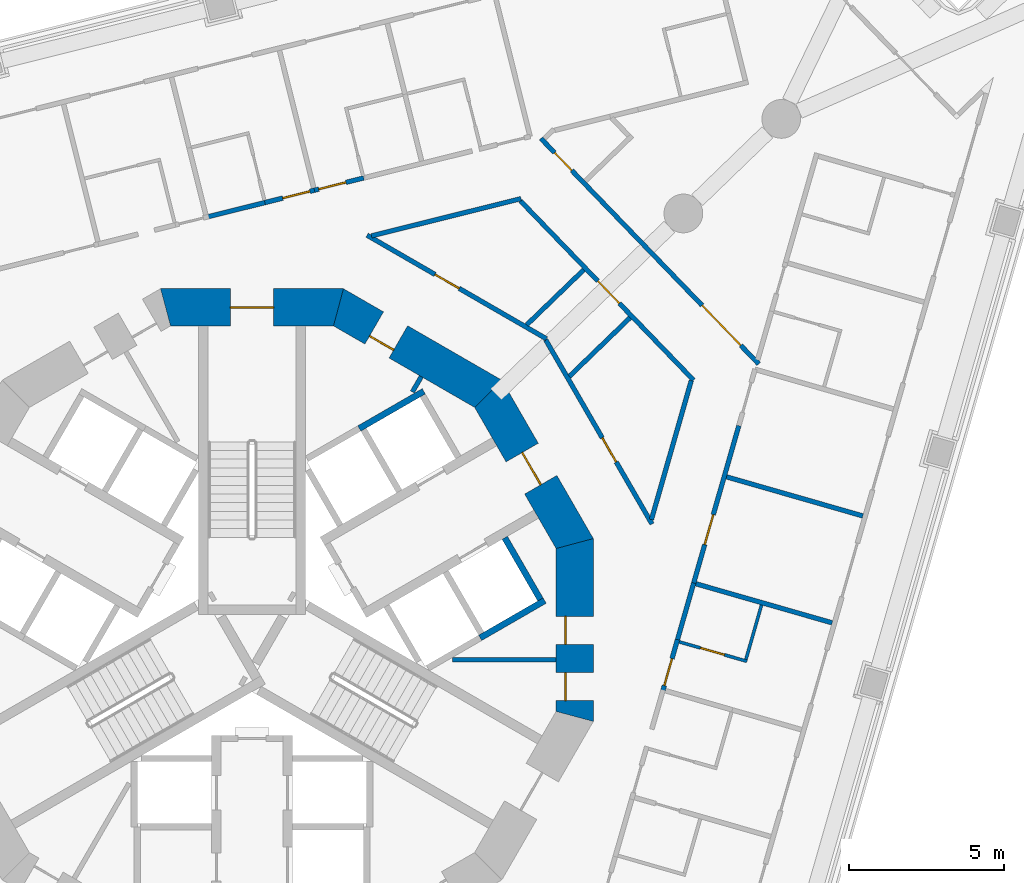
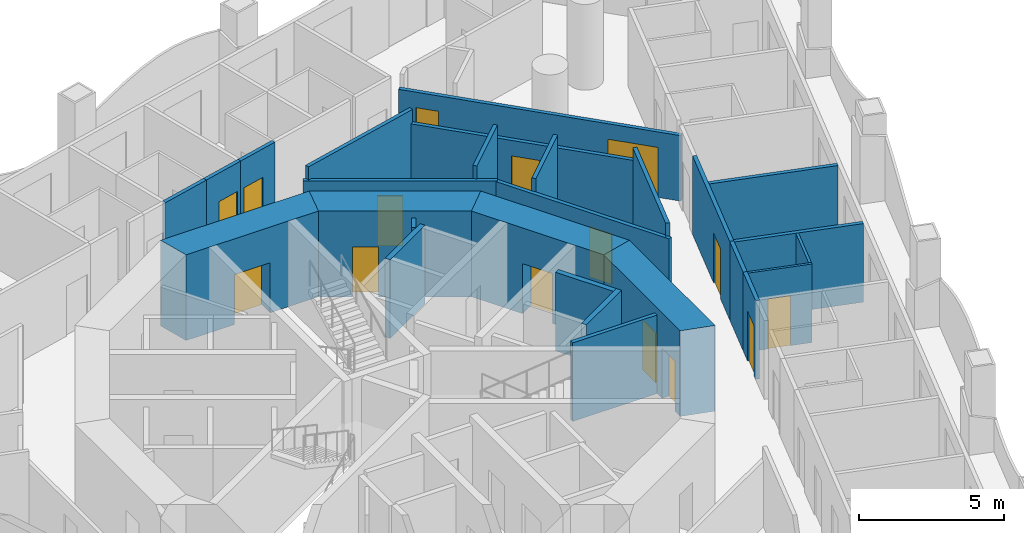
# One storey, part 9 of 19: 27 walls, 15 doors, 15 openings.
"""IFC4 building model written with IfcOpenShell, lengths in metres."""

from ifc_helpers import new_model, si_unit, direction, frame, frame_2d, origin, place, context, subcontext, project, spatial, polyline, rectangle, outline, extrude, material, layer, layer_set, type_object, element, fill, save


model = new_model("IFC4")

# Units and contexts
model_context = context("Model", 3, precision=1e-05, world=origin(), true_north=direction((0.0, 1.0)))
body_context = subcontext(model_context, "Body", "Model", "MODEL_VIEW")
ifc_project = project(units=[si_unit("LENGTHUNIT", "METRE"), si_unit("AREAUNIT", "SQUARE_METRE"), si_unit("VOLUMEUNIT", "CUBIC_METRE"), si_unit("PLANEANGLEUNIT", "RADIAN"), si_unit("MASSUNIT", "GRAM", prefix="KILO")], contexts=[model_context])

# Site, building, storey
site_placement = place(None, origin())
site = spatial("IfcSite", under=ifc_project, at=site_placement, CompositionType="ELEMENT")
building_placement = place(site_placement, origin())
building = spatial("IfcBuilding", under=site, at=building_placement, Name="Trine Commons Tower", CompositionType="ELEMENT")
storey_placement = place(building_placement, frame((0.0, 0.0, 98.10009765625)))
storey = spatial("IfcBuildingStorey", under=building, at=storey_placement, Name="L24", CompositionType="ELEMENT", Elevation=98.10009765625)

# Walls
ifc_material_1 = material(Name="Plasterboard partition on steel studs", Category="steel")
ifc_layer_1 = layer(ifc_material_1, 0.14990234375)
ifc_layer_set_1 = layer_set([ifc_layer_1], Name="Plasterboard partition on steel studs")
wall_type_1 = type_object("IfcWallType", Name="Core room partition 150 mm, EI 60", PredefinedType="PARTITIONING", material=ifc_layer_set_1)
wall_1_placement = place(storey_placement, frame((85.4609375, 70.676025390625, 0.0), z_axis=(0.0, 0.0, 1.0), x_axis=(-0.500042804318, -0.866000689289, 0.0)))
element("IfcWall", 1, at=wall_1_placement, inside=storey, type_object=wall_type_1, Name="Core room partition L24", PredefinedType="PARTITIONING", context=body_context, shape_type="SweptSolid", body=[
    extrude(rectangle(XDim=0.57177734375, YDim=0.14990234375, at=frame_2d((0.285888671875, 0.0))), origin(), (0.0, 0.0, 1.0), 3.2998046875),
])
wall_2_placement = place(storey_placement, frame((89.81201171875, 61.537109375, 0.0), z_axis=(0.0, 0.0, 1.0), x_axis=(-1.0, 0.0, 0.0)))
element("IfcWall", 2, at=wall_2_placement, inside=storey, type_object=wall_type_1, Name="Core room partition L24", PredefinedType="PARTITIONING", context=body_context, shape_type="SweptSolid", body=[
    extrude(rectangle(XDim=3.35107421875, YDim=0.14990234375, at=frame_2d((1.675537109375, 0.0))), origin(), (0.0, 0.0, 1.0), 3.2998046875),
])

# Wall, openings, doors
ifc_material_2 = material(Name="Concrete C70/85", Category="concrete")
ifc_layer_2 = layer(ifc_material_2, 1.199951171875)
ifc_layer_set_2 = layer_set([ifc_layer_2], Name="Concrete C70/85")
wall_type_2 = type_object("IfcWallType", Name="RC shear wall 1200 mm, C70/85", PredefinedType="SHEAR", material=ifc_layer_set_2)
wall_3_placement = place(storey_placement, frame((90.41162109375, 59.549560546875, 0.0), z_axis=(0.0, 0.0, 1.0), x_axis=(0.0, 1.0, 0.0)))
wall_3 = element("IfcWall", 3, at=wall_3_placement, inside=storey, type_object=wall_type_2, Name="Core wall CWC-01 L24", PredefinedType="SHEAR", context=body_context, shape_type="SweptSolid", body=[
    extrude(outline(polyline([(0.0, -0.60009765625), (5.90087890625, -0.60009765625), (5.57958984375, 0.60009765625), (0.321533203125, 0.60009765625), (0.0, -0.60009765625)])), origin(), (0.0, 0.0, 1.0), 3.599853515625),
])
opening_1_placement = place(wall_3_placement, frame((0.675537109375, 0.0, 0.0)))
opening_1 = element("IfcOpeningElement", 4, at=opening_1_placement, cuts=wall_3, Name="Opening K07.18", PredefinedType="OPENING", context=body_context, shape_type="SweptSolid", body=[
    extrude(rectangle(XDim=0.89990234375, YDim=2.10009765625, at=frame_2d((0.449951171875, 1.050048828125))), frame((0.0, 0.60986328125, 0.0), z_axis=(0.0, -1.0, 0.0), x_axis=(1.0, 0.0, 0.0)), (0.0, 0.0, 1.0), 1.219970703125),
])
opening_2_placement = place(wall_3_placement, frame((2.487548828125, 0.0, 0.0)))
opening_2 = element("IfcOpeningElement", 5, at=opening_2_placement, cuts=wall_3, Name="Opening K07.19", PredefinedType="OPENING", context=body_context, shape_type="SweptSolid", body=[
    extrude(rectangle(XDim=0.89990234375, YDim=2.10009765625, at=frame_2d((0.449951171875, 1.050048828125))), frame((0.0, 0.60986328125, 0.0), z_axis=(0.0, -1.0, 0.0), x_axis=(1.0, 0.0, 0.0)), (0.0, 0.0, 1.0), 1.219970703125),
])
ifc_material_3 = material(Name="Steel door leaf, fire-rated", Category="steel")
door_type_1 = type_object("IfcDoorType", Name="Core room door, single leaf 900 x 2100, FD30S", OperationType="SINGLE_SWING_LEFT", PredefinedType="DOOR", material=ifc_material_3)
door_1_placement = place(opening_1_placement, origin())
door_1 = element("IfcDoor", 6, at=door_1_placement, inside=storey, type_object=door_type_1, Name="Door to Parcel store L24", OperationType="SINGLE_SWING_LEFT", OverallHeight=2.10009765625, OverallWidth=0.89990234375, PredefinedType="DOOR", context=body_context, shape_type="SweptSolid", body=[
    extrude(rectangle(XDim=0.89990234375, YDim=2.10009765625, at=frame_2d((0.449951171875, 1.050048828125))), frame((0.0, 0.3251953125, 0.0), z_axis=(0.0, -1.0, 0.0), x_axis=(1.0, 0.0, 0.0)), (0.0, 0.0, 1.0), 0.050048828125),
])
fill(opening_1, door_1)
door_2_placement = place(opening_2_placement, origin())
door_2 = element("IfcDoor", 7, at=door_2_placement, inside=storey, type_object=door_type_1, Name="Door to Print room L24", OperationType="SINGLE_SWING_LEFT", OverallHeight=2.10009765625, OverallWidth=0.89990234375, PredefinedType="DOOR", context=body_context, shape_type="SweptSolid", body=[
    extrude(rectangle(XDim=0.89990234375, YDim=2.10009765625, at=frame_2d((0.449951171875, 1.050048828125))), frame((0.0, 0.3251953125, 0.0), z_axis=(0.0, -1.0, 0.0), x_axis=(1.0, 0.0, 0.0)), (0.0, 0.0, 1.0), 0.050048828125),
])
fill(opening_2, door_2)

# Wall, opening, door
wall_4_placement = place(storey_placement, frame((90.491943359375, 65.150390625, 0.0), z_axis=(0.0, 0.0, 1.0), x_axis=(-0.499979111662, 0.866037463336, 0.0)))
wall_4 = element("IfcWall", 8, at=wall_4_placement, inside=storey, type_object=wall_type_2, Name="Core wall CWC-02 L24", PredefinedType="SHEAR", context=body_context, shape_type="SweptSolid", body=[
    extrude(outline(polyline([(0.0, -0.60009765625), (5.901123046875, -0.60009765625), (5.57958984375, 0.60009765625), (0.321533203125, 0.60009765625), (0.0, -0.60009765625)])), origin(), (0.0, 0.0, 1.0), 3.599853515625),
])
opening_3_placement = place(wall_4_placement, frame((2.3505859375, 0.0, 0.0)))
opening_3 = element("IfcOpeningElement", 9, at=opening_3_placement, cuts=wall_4, Name="Opening K07.04", PredefinedType="OPENING", context=body_context, shape_type="SweptSolid", body=[
    extrude(rectangle(XDim=1.199951171875, YDim=2.10009765625, at=frame_2d((0.60009765625, 1.050048828125))), frame((0.0, 0.60986328125, 0.0), z_axis=(0.0, -1.0, 0.0), x_axis=(1.0, 0.0, 0.0)), (0.0, 0.0, 1.0), 1.219970703125),
])
ifc_material_4 = material(Name="Steel door leaves, fire-rated", Category="steel")
door_type_2 = type_object("IfcDoorType", Name="Lobby door, double leaf 1200 x 2100, FD60", OperationType="DOUBLE_DOOR_SINGLE_SWING", PredefinedType="DOOR", material=ifc_material_4)
door_3_placement = place(opening_3_placement, origin())
door_3 = element("IfcDoor", 10, at=door_3_placement, inside=storey, type_object=door_type_2, Name="Lobby door, Passenger lift lobby A L24", OperationType="DOUBLE_DOOR_SINGLE_SWING", OverallHeight=2.10009765625, OverallWidth=1.199951171875, PredefinedType="DOOR", context=body_context, shape_type="SweptSolid", body=[
    extrude(rectangle(XDim=1.199951171875, YDim=2.10009765625, at=frame_2d((0.60009765625, 1.050048828125))), frame((0.0, 0.02490234375, 0.0), z_axis=(0.0, -1.0, 0.0), x_axis=(1.0, 0.0, 0.0)), (0.0, 0.0, 1.0), 0.050048828125),
])
fill(opening_3, door_3)

wall_5_placement = place(storey_placement, frame((87.760986328125, 70.04150390625, 0.0), z_axis=(0.0, 0.0, 1.0), x_axis=(-0.866037463336, 0.499979111662, 0.0)))
wall_5 = element("IfcWall", 11, at=wall_5_placement, inside=storey, type_object=wall_type_2, Name="Core wall CWC-03 L24", PredefinedType="SHEAR", context=body_context, shape_type="SweptSolid", body=[
    extrude(outline(polyline([(0.0, -0.60009765625), (5.901123046875, -0.60009765625), (5.57958984375, 0.60009765625), (0.321533203125, 0.60009765625), (0.0, -0.60009765625)])), origin(), (0.0, 0.0, 1.0), 3.599853515625),
])
opening_4_placement = place(wall_5_placement, frame((3.509521484375, 0.0, 0.0)))
opening_4 = element("IfcOpeningElement", 12, at=opening_4_placement, cuts=wall_5, Name="Opening K07.11", PredefinedType="OPENING", context=body_context, shape_type="SweptSolid", body=[
    extrude(rectangle(XDim=0.89990234375, YDim=2.10009765625, at=frame_2d((0.449951171875, 1.050048828125))), frame((0.0, 0.60986328125, 0.0), z_axis=(0.0, -1.0, 0.0), x_axis=(1.0, 0.0, 0.0)), (0.0, 0.0, 1.0), 1.219970703125),
])
door_4_placement = place(opening_4_placement, origin())
door_4 = element("IfcDoor", 13, at=door_4_placement, inside=storey, type_object=door_type_1, Name="Door to Accessible WC L24", OperationType="SINGLE_SWING_RIGHT", OverallHeight=2.10009765625, OverallWidth=0.89990234375, PredefinedType="DOOR", context=body_context, shape_type="SweptSolid", body=[
    extrude(rectangle(XDim=0.89990234375, YDim=2.10009765625, at=frame_2d((0.449951171875, 1.050048828125))), frame((0.0, 0.3251953125, 0.0), z_axis=(0.0, -1.0, 0.0), x_axis=(1.0, 0.0, 0.0)), (0.0, 0.0, 1.0), 0.050048828125),
])
fill(opening_4, door_4)

wall_6_placement = place(storey_placement, frame((82.950439453125, 72.91162109375, 0.0), z_axis=(0.0, 0.0, 1.0), x_axis=(-1.0, 0.0, 0.0)))
wall_6 = element("IfcWall", 14, at=wall_6_placement, inside=storey, type_object=wall_type_2, Name="Core wall CWC-04 L24", PredefinedType="SHEAR", context=body_context, shape_type="SweptSolid", body=[
    extrude(outline(polyline([(0.0, -0.60009765625), (5.90087890625, -0.60009765625), (5.57958984375, 0.60009765625), (0.321533203125, 0.60009765625), (0.0, -0.60009765625)])), origin(), (0.0, 0.0, 1.0), 3.599853515625),
])
opening_5_placement = place(wall_6_placement, frame((2.25048828125, 0.0, 0.0)))
opening_5 = element("IfcOpeningElement", 15, at=opening_5_placement, cuts=wall_6, Name="Opening K07.01", PredefinedType="OPENING", context=body_context, shape_type="SweptSolid", body=[
    extrude(rectangle(XDim=1.39990234375, YDim=2.10009765625, at=frame_2d((0.699951171875, 1.050048828125))), frame((0.0, 0.60986328125, 0.0), z_axis=(0.0, -1.0, 0.0), x_axis=(1.0, 0.0, 0.0)), (0.0, 0.0, 1.0), 1.219970703125),
])
door_type_3 = type_object("IfcDoorType", Name="Stair door, double leaf 1400 x 2100, FD90", OperationType="DOUBLE_DOOR_SINGLE_SWING", PredefinedType="DOOR", material=ifc_material_4)
door_5_placement = place(opening_5_placement, origin())
door_5 = element("IfcDoor", 16, at=door_5_placement, inside=storey, type_object=door_type_3, Name="Stair door to Exit stair ST1A L24", OperationType="DOUBLE_DOOR_SINGLE_SWING", OverallHeight=2.10009765625, OverallWidth=1.39990234375, PredefinedType="DOOR", context=body_context, shape_type="SweptSolid", body=[
    extrude(rectangle(XDim=1.39990234375, YDim=2.10009765625, at=frame_2d((0.699951171875, 1.050048828125))), frame((0.0, 0.02490234375, 0.0), z_axis=(0.0, -1.0, 0.0), x_axis=(1.0, 0.0, 0.0)), (0.0, 0.0, 1.0), 0.050048828125),
])
fill(opening_5, door_5)

# Walls
ifc_material_5 = material(Name="Fire-rated gypsum shaft wall system")
ifc_layer_3 = layer(ifc_material_5, 0.199951171875)
ifc_layer_set_3 = layer_set([ifc_layer_3], Name="Fire-rated gypsum shaft wall system")
wall_type_3 = type_object("IfcWallType", Name="Shaft wall 200 mm, EI 120", PredefinedType="PARTITIONING", material=ifc_layer_set_3)
wall_7_placement = place(storey_placement, frame((83.4619140625, 69.001953125, 0.0), z_axis=(0.0, 0.0, 1.0), x_axis=(0.866202511239, 0.499693115345, 0.0)))
element("IfcWall", 17, at=wall_7_placement, inside=storey, type_object=wall_type_3, Name="Shaft wall L24", PredefinedType="PARTITIONING", context=body_context, shape_type="SweptSolid", body=[
    extrude(rectangle(XDim=2.4013671875, YDim=0.199951171875, at=frame_2d((1.20068359375, 0.0))), origin(), (0.0, 0.0, 1.0), 3.2998046875),
])
wall_8_placement = place(storey_placement, frame((87.362060546875, 62.248046875, 0.0), z_axis=(0.0, 0.0, 1.0), x_axis=(0.866177122335, 0.499737123639, 0.0)))
element("IfcWall", 18, at=wall_8_placement, inside=storey, type_object=wall_type_3, Name="Shaft wall L24", PredefinedType="PARTITIONING", context=body_context, shape_type="SweptSolid", body=[
    extrude(rectangle(XDim=2.401123046875, YDim=0.199951171875, at=frame_2d((1.20068359375, 0.0))), origin(), (0.0, 0.0, 1.0), 3.2998046875),
])
wall_9_placement = place(storey_placement, frame((88.155029296875, 65.47607421875, 0.0), z_axis=(0.0, 0.0, 1.0), x_axis=(0.500136062276, -0.86594683394, 0.0)))
element("IfcWall", 19, at=wall_9_placement, inside=storey, type_object=wall_type_3, Name="Shaft wall L24", PredefinedType="PARTITIONING", context=body_context, shape_type="SweptSolid", body=[
    extrude(rectangle(XDim=2.299072265625, YDim=0.199951171875, at=frame_2d((1.1494140625, 0.0))), origin(), (0.0, 0.0, 1.0), 3.2998046875),
])
ifc_material_6 = material(Name="Gypsum plasterboard on steel stud", Category="steel")
ifc_layer_4 = layer(ifc_material_6, 0.14990234375)
ifc_layer_set_4 = layer_set([ifc_layer_4], Name="Gypsum plasterboard on steel stud")
wall_type_4 = type_object("IfcWallType", Name="Unit and corridor wall 150 mm, EI 60", PredefinedType="PARTITIONING", material=ifc_layer_set_4)
wall_10_placement = place(storey_placement, frame((78.52392578125, 75.820068359375, 0.0), z_axis=(0.0, 0.0, 1.0), x_axis=(0.970398654649, 0.241508697681, 0.0)))
element("IfcWall", 20, at=wall_10_placement, inside=storey, type_object=wall_type_4, Name="Partition 069", PredefinedType="PARTITIONING", context=body_context, shape_type="SweptSolid", body=[
    extrude(rectangle(XDim=1.9580078125, YDim=0.14990234375, at=frame_2d((0.97900390625, 0.0))), origin(), (0.0, 0.0, 1.0), 3.2998046875),
])

# Wall, opening, door
wall_11_placement = place(storey_placement, frame((80.416015625, 76.291015625, 0.0), z_axis=(0.0, 0.0, 1.0), x_axis=(0.970220928559, 0.242221695533, 0.0)))
wall_11 = element("IfcWall", 21, at=wall_11_placement, inside=storey, type_object=wall_type_4, Name="Partition 076", PredefinedType="PARTITIONING", context=body_context, shape_type="SweptSolid", body=[
    extrude(rectangle(XDim=1.64697265625, YDim=0.14990234375, at=frame_2d((0.823486328125, 0.0))), origin(), (0.0, 0.0, 1.0), 3.2998046875),
])
opening_6_placement = place(wall_11_placement, frame((0.593017578125, 0.0, 0.0)))
opening_6 = element("IfcOpeningElement", 22, at=opening_6_placement, cuts=wall_11, Name="Opening D-3B12", PredefinedType="OPENING", context=body_context, shape_type="SweptSolid", body=[
    extrude(rectangle(XDim=0.89990234375, YDim=2.10009765625, at=frame_2d((0.449951171875, 1.050048828125))), frame((0.0, 0.0849609375, 0.0), z_axis=(0.0, -1.0, 0.0), x_axis=(1.0, 0.0, 0.0)), (0.0, 0.0, 1.0), 0.169921875),
])
ifc_material_7 = material(Name="Timber fire door set", Category="wood")
door_type_4 = type_object("IfcDoorType", Name="Bedroom door 900 x 2100, FD30S", OperationType="NOTDEFINED", PredefinedType="DOOR", material=ifc_material_7)
door_6_placement = place(opening_6_placement, origin())
door_6 = element("IfcDoor", 23, at=door_6_placement, inside=storey, type_object=door_type_4, Name="Door D-3B12", OperationType="SINGLE_SWING_RIGHT", OverallHeight=2.10009765625, OverallWidth=0.89990234375, PredefinedType="DOOR", context=body_context, shape_type="SweptSolid", body=[
    extrude(rectangle(XDim=0.89990234375, YDim=2.10009765625, at=frame_2d((0.449951171875, 1.050048828125))), frame((0.0, 0.02490234375, 0.0), z_axis=(0.0, -1.0, 0.0), x_axis=(1.0, 0.0, 0.0)), (0.0, 0.0, 1.0), 0.050048828125),
])
fill(opening_6, door_6)

wall_12_placement = place(storey_placement, frame((82.006103515625, 76.68798828125, 0.0), z_axis=(0.0, 0.0, 1.0), x_axis=(0.970325473096, 0.241802556359, 0.0)))
wall_12 = element("IfcWall", 24, at=wall_12_placement, inside=storey, type_object=wall_type_4, Name="Partition 080", PredefinedType="PARTITIONING", context=body_context, shape_type="SweptSolid", body=[
    extrude(rectangle(XDim=1.645751953125, YDim=0.14990234375, at=frame_2d((0.82275390625, 0.0))), origin(), (0.0, 0.0, 1.0), 3.2998046875),
])
opening_7_placement = place(wall_12_placement, frame((0.154052734375, 0.0, 0.0)))
opening_7 = element("IfcOpeningElement", 25, at=opening_7_placement, cuts=wall_12, Name="Opening D-3B13", PredefinedType="OPENING", context=body_context, shape_type="SweptSolid", body=[
    extrude(rectangle(XDim=0.89990234375, YDim=2.10009765625, at=frame_2d((0.449951171875, 1.050048828125))), frame((0.0, 0.0849609375, 0.0), z_axis=(0.0, -1.0, 0.0), x_axis=(1.0, 0.0, 0.0)), (0.0, 0.0, 1.0), 0.169921875),
])
door_7_placement = place(opening_7_placement, origin())
door_7 = element("IfcDoor", 26, at=door_7_placement, inside=storey, type_object=door_type_4, Name="Door D-3B13", OperationType="SINGLE_SWING_LEFT", OverallHeight=2.10009765625, OverallWidth=0.89990234375, PredefinedType="DOOR", context=body_context, shape_type="SweptSolid", body=[
    extrude(rectangle(XDim=0.89990234375, YDim=2.10009765625, at=frame_2d((0.449951171875, 1.050048828125))), frame((0.0, 0.02490234375, 0.0), z_axis=(0.0, -1.0, 0.0), x_axis=(1.0, 0.0, 0.0)), (0.0, 0.0, 1.0), 0.050048828125),
])
fill(opening_7, door_7)

wall_13_placement = place(storey_placement, frame((83.7119140625, 75.237548828125, 0.0), z_axis=(0.0, 0.0, 1.0), x_axis=(0.866033484359, -0.499986003774, 0.0)))
wall_13 = element("IfcWall", 27, at=wall_13_placement, inside=storey, type_object=wall_type_4, Name="Partition 085", PredefinedType="PARTITIONING", context=body_context, shape_type="SweptSolid", body=[
    extrude(rectangle(XDim=6.682373046875, YDim=0.14990234375, at=frame_2d((3.34130859375, 0.0))), origin(), (0.0, 0.0, 1.0), 2.75),
])
opening_8_placement = place(wall_13_placement, frame((2.53271484375, 0.0, 0.0)))
opening_8 = element("IfcOpeningElement", 28, at=opening_8_placement, cuts=wall_13, Name="Opening D-3B38", PredefinedType="OPENING", context=body_context, shape_type="SweptSolid", body=[
    extrude(rectangle(XDim=0.89990234375, YDim=2.10009765625, at=frame_2d((0.449951171875, 1.050048828125))), frame((0.0, 0.0849609375, 0.0), z_axis=(0.0, -1.0, 0.0), x_axis=(1.0, 0.0, 0.0)), (0.0, 0.0, 1.0), 0.169921875),
])
door_type_5 = type_object("IfcDoorType", Name="Service door 900 x 2100, FD30S", OperationType="NOTDEFINED", PredefinedType="DOOR", material=ifc_material_7)
door_8_placement = place(opening_8_placement, origin())
door_8 = element("IfcDoor", 29, at=door_8_placement, inside=storey, type_object=door_type_5, Name="Door D-3B38", OperationType="SINGLE_SWING_LEFT", OverallHeight=2.10009765625, OverallWidth=0.89990234375, PredefinedType="DOOR", context=body_context, shape_type="SweptSolid", body=[
    extrude(rectangle(XDim=0.89990234375, YDim=2.10009765625, at=frame_2d((0.449951171875, 1.050048828125))), frame((0.0, 0.02490234375, 0.0), z_axis=(0.0, -1.0, 0.0), x_axis=(1.0, 0.0, 0.0)), (0.0, 0.0, 1.0), 0.050048828125),
])
fill(opening_8, door_8)

# Wall
wall_14_placement = place(storey_placement, frame((83.852783203125, 75.216064453125, 0.0), z_axis=(0.0, 0.0, 1.0), x_axis=(0.970312588938, 0.241854253112, 0.0)))
element("IfcWall", 30, at=wall_14_placement, inside=storey, type_object=wall_type_4, Name="Partition 086", PredefinedType="PARTITIONING", context=body_context, shape_type="SweptSolid", body=[
    extrude(rectangle(XDim=4.974609375, YDim=0.14990234375, at=frame_2d((2.4873046875, 0.0))), origin(), (0.0, 0.0, 1.0), 3.2998046875),
])

# Wall, opening, door
wall_15_placement = place(storey_placement, frame((88.6591796875, 76.34716796875, 0.0), z_axis=(0.0, 0.0, 1.0), x_axis=(0.694672534157, -0.719326122345, 0.0)))
wall_15 = element("IfcWall", 31, at=wall_15_placement, inside=storey, type_object=wall_type_4, Name="Partition 101", PredefinedType="PARTITIONING", context=body_context, shape_type="SweptSolid", body=[
    extrude(rectangle(XDim=8.041015625, YDim=0.14990234375, at=frame_2d((4.0205078125, 0.0))), origin(), (0.0, 0.0, 1.0), 2.75),
])
opening_9_placement = place(wall_15_placement, frame((3.595458984375, 0.0, 0.0)))
opening_9 = element("IfcOpeningElement", 32, at=opening_9_placement, cuts=wall_15, Name="Opening D-3B42", PredefinedType="OPENING", context=body_context, shape_type="SweptSolid", body=[
    extrude(rectangle(XDim=1.0, YDim=2.10009765625, at=frame_2d((0.5, 1.050048828125))), frame((0.0, 0.0849609375, 0.0), z_axis=(0.0, -1.0, 0.0), x_axis=(1.0, 0.0, 0.0)), (0.0, 0.0, 1.0), 0.169921875),
])
ifc_material_8 = material(Name="Painted timber", Category="wood")
door_type_6 = type_object("IfcDoorType", Name="Toilet door 1000 x 2100, NOT RATED", OperationType="NOTDEFINED", PredefinedType="DOOR", material=ifc_material_8)
door_9_placement = place(opening_9_placement, frame((1.0, 0.0, 0.0), z_axis=(0.0, 0.0, 1.0), x_axis=(-1.0, 0.0, 0.0)))
door_9 = element("IfcDoor", 33, at=door_9_placement, inside=storey, type_object=door_type_6, Name="Door D-3B42", OperationType="SINGLE_SWING_LEFT", OverallHeight=2.10009765625, OverallWidth=1.0, PredefinedType="DOOR", context=body_context, shape_type="SweptSolid", body=[
    extrude(rectangle(XDim=1.0, YDim=2.10009765625, at=frame_2d((0.5, 1.050048828125))), frame((0.0, 0.02490234375, 0.0), z_axis=(0.0, -1.0, 0.0), x_axis=(1.0, 0.0, 0.0)), (0.0, 0.0, 1.0), 0.050048828125),
])
fill(opening_9, door_9)

# Wall
wall_16_placement = place(storey_placement, frame((88.864013671875, 72.34619140625, 0.0), z_axis=(0.0, 0.0, 1.0), x_axis=(0.719366900494, 0.694630306332, 0.0)))
element("IfcWall", 34, at=wall_16_placement, inside=storey, type_object=wall_type_4, Name="Partition 103", PredefinedType="PARTITIONING", context=body_context, shape_type="SweptSolid", body=[
    extrude(rectangle(XDim=2.55615234375, YDim=0.14990234375, at=frame_2d((1.278076171875, 0.0))), origin(), (0.0, 0.0, 1.0), 3.2998046875),
])

# Wall, openings, doors
wall_17_placement = place(storey_placement, frame((89.322998046875, 78.35791015625, 0.0), z_axis=(0.0, 0.0, 1.0), x_axis=(0.694707851552, -0.719292013713, 0.0)))
wall_17 = element("IfcWall", 35, at=wall_17_placement, inside=storey, type_object=wall_type_4, Name="Partition 107", PredefinedType="PARTITIONING", context=body_context, shape_type="SweptSolid", body=[
    extrude(rectangle(XDim=10.109619140625, YDim=0.14990234375, at=frame_2d((5.0546875, 0.0))), origin(), (0.0, 0.0, 1.0), 2.75),
])
opening_10_placement = place(wall_17_placement, frame((7.484130859375, 0.0, 0.0)))
opening_10 = element("IfcOpeningElement", 36, at=opening_10_placement, cuts=wall_17, Name="Opening D-3B01", PredefinedType="OPENING", context=body_context, shape_type="SweptSolid", body=[
    extrude(rectangle(XDim=1.800048828125, YDim=2.10009765625, at=frame_2d((0.89990234375, 1.050048828125))), frame((0.0, 0.0849609375, 0.0), z_axis=(0.0, -1.0, 0.0), x_axis=(1.0, 0.0, 0.0)), (0.0, 0.0, 1.0), 0.169921875),
])
opening_11_placement = place(wall_17_placement, frame((0.628662109375, 0.0, 0.0)))
opening_11 = element("IfcOpeningElement", 37, at=opening_11_placement, cuts=wall_17, Name="Opening D-3B04", PredefinedType="OPENING", context=body_context, shape_type="SweptSolid", body=[
    extrude(rectangle(XDim=0.800048828125, YDim=2.10009765625, at=frame_2d((0.39990234375, 1.050048828125))), frame((0.0, 0.0849609375, 0.0), z_axis=(0.0, -1.0, 0.0), x_axis=(1.0, 0.0, 0.0)), (0.0, 0.0, 1.0), 0.169921875),
])
door_type_7 = type_object("IfcDoorType", Name="Cluster entrance door 1800 x 2100, double leaf, FD30S", OperationType="DOUBLE_DOOR_DOUBLE_SWING", PredefinedType="DOOR", material=ifc_material_7)
door_10_placement = place(opening_10_placement, origin())
door_10 = element("IfcDoor", 38, at=door_10_placement, inside=storey, type_object=door_type_7, Name="Door D-3B01", OperationType="DOUBLE_DOOR_DOUBLE_SWING", OverallHeight=2.10009765625, OverallWidth=1.800048828125, PredefinedType="DOOR", context=body_context, shape_type="SweptSolid", body=[
    extrude(rectangle(XDim=1.800048828125, YDim=2.10009765625, at=frame_2d((0.89990234375, 1.050048828125))), frame((0.0, 0.02490234375, 0.0), z_axis=(0.0, -1.0, 0.0), x_axis=(1.0, 0.0, 0.0)), (0.0, 0.0, 1.0), 0.050048828125),
])
fill(opening_10, door_10)
door_type_8 = type_object("IfcDoorType", Name="Toilet door 800 x 2100, NOT RATED", OperationType="NOTDEFINED", PredefinedType="DOOR", material=ifc_material_8)
door_11_placement = place(opening_11_placement, origin())
door_11 = element("IfcDoor", 39, at=door_11_placement, inside=storey, type_object=door_type_8, Name="Door D-3B04", OperationType="SINGLE_SWING_LEFT", OverallHeight=2.10009765625, OverallWidth=0.800048828125, PredefinedType="DOOR", context=body_context, shape_type="SweptSolid", body=[
    extrude(rectangle(XDim=0.800048828125, YDim=2.10009765625, at=frame_2d((0.39990234375, 1.050048828125))), frame((0.0, 0.02490234375, 0.0), z_axis=(0.0, -1.0, 0.0), x_axis=(1.0, 0.0, 0.0)), (0.0, 0.0, 1.0), 0.050048828125),
])
fill(opening_11, door_11)

# Wall, opening, door
wall_18_placement = place(storey_placement, frame((89.471435546875, 71.868896484375, 0.0), z_axis=(0.0, 0.0, 1.0), x_axis=(0.500000410344, -0.866025166872, 0.0)))
wall_18 = element("IfcWall", 40, at=wall_18_placement, inside=storey, type_object=wall_type_4, Name="Partition 109", PredefinedType="PARTITIONING", context=body_context, shape_type="SweptSolid", body=[
    extrude(rectangle(XDim=6.8681640625, YDim=0.14990234375, at=frame_2d((3.43408203125, 0.0))), origin(), (0.0, 0.0, 1.0), 2.75),
])
opening_12_placement = place(wall_18_placement, frame((3.65869140625, 0.0, 0.0)))
opening_12 = element("IfcOpeningElement", 41, at=opening_12_placement, cuts=wall_18, Name="Opening D-3B39", PredefinedType="OPENING", context=body_context, shape_type="SweptSolid", body=[
    extrude(rectangle(XDim=0.89990234375, YDim=2.10009765625, at=frame_2d((0.449951171875, 1.050048828125))), frame((0.0, 0.0849609375, 0.0), z_axis=(0.0, -1.0, 0.0), x_axis=(1.0, 0.0, 0.0)), (0.0, 0.0, 1.0), 0.169921875),
])
door_12_placement = place(opening_12_placement, origin())
door_12 = element("IfcDoor", 42, at=door_12_placement, inside=storey, type_object=door_type_5, Name="Door D-3B39", OperationType="SINGLE_SWING_RIGHT", OverallHeight=2.10009765625, OverallWidth=0.89990234375, PredefinedType="DOOR", context=body_context, shape_type="SweptSolid", body=[
    extrude(rectangle(XDim=0.89990234375, YDim=2.10009765625, at=frame_2d((0.449951171875, 1.050048828125))), frame((0.0, 0.02490234375, 0.0), z_axis=(0.0, -1.0, 0.0), x_axis=(1.0, 0.0, 0.0)), (0.0, 0.0, 1.0), 0.050048828125),
])
fill(opening_12, door_12)

# Walls
wall_19_placement = place(storey_placement, frame((90.239013671875, 70.68408203125, 0.0), z_axis=(0.0, 0.0, 1.0), x_axis=(0.719152656364, 0.694852111492, 0.0)))
element("IfcWall", 43, at=wall_19_placement, inside=storey, type_object=wall_type_4, Name="Partition 112", PredefinedType="PARTITIONING", context=body_context, shape_type="SweptSolid", body=[
    extrude(rectangle(XDim=2.72265625, YDim=0.14990234375, at=frame_2d((1.361328125, 0.0))), origin(), (0.0, 0.0, 1.0), 3.2998046875),
])
wall_20_placement = place(storey_placement, frame((92.88671875, 66.06103515625, 0.0), z_axis=(0.0, 0.0, 1.0), x_axis=(0.275619666794, 0.961266768008, 0.0)))
element("IfcWall", 44, at=wall_20_placement, inside=storey, type_object=wall_type_4, Name="Partition 126", PredefinedType="PARTITIONING", context=body_context, shape_type="SweptSolid", body=[
    extrude(rectangle(XDim=4.66455078125, YDim=0.14990234375, at=frame_2d((2.332275390625, 0.0))), origin(), (0.0, 0.0, 1.0), 3.2998046875),
])

# Wall, opening, door
wall_21_placement = place(storey_placement, frame((93.240478515625, 60.48779296875, 0.0), z_axis=(0.0, 0.0, 1.0), x_axis=(0.275194545337, 0.961388559437, 0.0)))
wall_21 = element("IfcWall", 45, at=wall_21_placement, inside=storey, type_object=wall_type_4, Name="Partition 128", PredefinedType="PARTITIONING", context=body_context, shape_type="SweptSolid", body=[
    extrude(rectangle(XDim=1.770751953125, YDim=0.14990234375, at=frame_2d((0.88525390625, 0.0))), origin(), (0.0, 0.0, 1.0), 3.2998046875),
])
opening_13_placement = place(wall_21_placement, frame((0.228759765625, 0.0, 0.0)))
opening_13 = element("IfcOpeningElement", 46, at=opening_13_placement, cuts=wall_21, Name="Opening D-3B20", PredefinedType="OPENING", context=body_context, shape_type="SweptSolid", body=[
    extrude(rectangle(XDim=0.89990234375, YDim=2.10009765625, at=frame_2d((0.449951171875, 1.050048828125))), frame((0.0, 0.0849609375, 0.0), z_axis=(0.0, -1.0, 0.0), x_axis=(1.0, 0.0, 0.0)), (0.0, 0.0, 1.0), 0.169921875),
])
door_13_placement = place(opening_13_placement, frame((0.89990234375, 0.0, 0.0), z_axis=(0.0, 0.0, 1.0), x_axis=(-1.0, 0.0, 0.0)))
door_13 = element("IfcDoor", 47, at=door_13_placement, inside=storey, type_object=door_type_4, Name="Door D-3B20", OperationType="SINGLE_SWING_RIGHT", OverallHeight=2.10009765625, OverallWidth=0.89990234375, PredefinedType="DOOR", context=body_context, shape_type="SweptSolid", body=[
    extrude(rectangle(XDim=0.89990234375, YDim=2.10009765625, at=frame_2d((0.449951171875, 1.050048828125))), frame((0.0, 0.02490234375, 0.0), z_axis=(0.0, -1.0, 0.0), x_axis=(1.0, 0.0, 0.0)), (0.0, 0.0, 1.0), 0.050048828125),
])
fill(opening_13, door_13)

# Wall
wall_22_placement = place(storey_placement, frame((93.7119140625, 62.134033203125, 0.0), z_axis=(0.0, 0.0, 1.0), x_axis=(0.275675684966, 0.961250704405, 0.0)))
element("IfcWall", 48, at=wall_22_placement, inside=storey, type_object=wall_type_4, Name="Partition 132", PredefinedType="PARTITIONING", context=body_context, shape_type="SweptSolid", body=[
    extrude(rectangle(XDim=1.958984375, YDim=0.14990234375, at=frame_2d((0.9794921875, 0.0))), origin(), (0.0, 0.0, 1.0), 3.2998046875),
])

# Wall, opening, door
wall_23_placement = place(storey_placement, frame((94.228271484375, 63.93701171875, 0.0), z_axis=(0.0, 0.0, 1.0), x_axis=(0.275737098009, 0.961233089725, 0.0)))
wall_23 = element("IfcWall", 49, at=wall_23_placement, inside=storey, type_object=wall_type_4, Name="Partition 135", PredefinedType="PARTITIONING", context=body_context, shape_type="SweptSolid", body=[
    extrude(rectangle(XDim=5.363037109375, YDim=0.14990234375, at=frame_2d((2.681640625, 0.0))), origin(), (0.0, 0.0, 1.0), 3.2998046875),
])
opening_14_placement = place(wall_23_placement, frame((1.373046875, 0.0, 0.0)))
opening_14 = element("IfcOpeningElement", 50, at=opening_14_placement, cuts=wall_23, Name="Opening D-3B19", PredefinedType="OPENING", context=body_context, shape_type="SweptSolid", body=[
    extrude(rectangle(XDim=1.0, YDim=2.10009765625, at=frame_2d((0.5, 1.050048828125))), frame((0.0, 0.0849609375, 0.0), z_axis=(0.0, -1.0, 0.0), x_axis=(1.0, 0.0, 0.0)), (0.0, 0.0, 1.0), 0.169921875),
])
door_type_9 = type_object("IfcDoorType", Name="Amenity room door 1000 x 2100, NOT RATED", OperationType="NOTDEFINED", PredefinedType="DOOR", material=ifc_material_8)
door_14_placement = place(opening_14_placement, frame((1.0, 0.0, 0.0), z_axis=(0.0, 0.0, 1.0), x_axis=(-1.0, 0.0, 0.0)))
door_14 = element("IfcDoor", 51, at=door_14_placement, inside=storey, type_object=door_type_9, Name="Door D-3B19", OperationType="SINGLE_SWING_RIGHT", OverallHeight=2.10009765625, OverallWidth=1.0, PredefinedType="DOOR", context=body_context, shape_type="SweptSolid", body=[
    extrude(rectangle(XDim=1.0, YDim=2.10009765625, at=frame_2d((0.5, 1.050048828125))), frame((0.0, 0.02490234375, 0.0), z_axis=(0.0, -1.0, 0.0), x_axis=(1.0, 0.0, 0.0)), (0.0, 0.0, 1.0), 0.050048828125),
])
fill(opening_14, door_14)

# Walls
wall_24_placement = place(storey_placement, frame((94.322021484375, 63.9921875, 0.0), z_axis=(0.0, 0.0, 1.0), x_axis=(0.961269673231, -0.275609534171, 0.0)))
element("IfcWall", 52, at=wall_24_placement, inside=storey, type_object=wall_type_4, Name="Partition 136", PredefinedType="PARTITIONING", context=body_context, shape_type="SweptSolid", body=[
    extrude(rectangle(XDim=4.572509765625, YDim=0.14990234375, at=frame_2d((2.2861328125, 0.0))), origin(), (0.0, 0.0, 1.0), 3.2998046875),
])
wall_25_placement = place(storey_placement, frame((95.31103515625, 67.44140625, 0.0), z_axis=(0.0, 0.0, 1.0), x_axis=(0.961255526758, -0.275658869398, 0.0)))
element("IfcWall", 53, at=wall_25_placement, inside=storey, type_object=wall_type_4, Name="Partition 139", PredefinedType="PARTITIONING", context=body_context, shape_type="SweptSolid", body=[
    extrude(rectangle(XDim=4.57275390625, YDim=0.14990234375, at=frame_2d((2.286376953125, 0.0))), origin(), (0.0, 0.0, 1.0), 3.2998046875),
])

# Wall, opening, door
ifc_layer_5 = layer(ifc_material_6, 0.10009765625)
ifc_layer_set_5 = layer_set([ifc_layer_5], Name="Gypsum plasterboard on steel stud")
wall_type_5 = type_object("IfcWallType", Name="Unit partition 100 mm, no rating", PredefinedType="PARTITIONING", material=ifc_layer_set_5)
wall_26_placement = place(storey_placement, frame((93.78515625, 62.1171875, 0.0), z_axis=(0.0, 0.0, 1.0), x_axis=(0.961247989745, -0.27568515051, 0.0)))
wall_26 = element("IfcWall", 54, at=wall_26_placement, inside=storey, type_object=wall_type_5, Name="Partition 133", PredefinedType="PARTITIONING", context=body_context, shape_type="SweptSolid", body=[
    extrude(rectangle(XDim=2.274169921875, YDim=0.10009765625, at=frame_2d((1.13720703125, 0.0))), origin(), (0.0, 0.0, 1.0), 3.2998046875),
])
opening_15_placement = place(wall_26_placement, frame((0.7119140625, 0.0, 0.0)))
opening_15 = element("IfcOpeningElement", 55, at=opening_15_placement, cuts=wall_26, Name="Opening D-3B53", PredefinedType="OPENING", context=body_context, shape_type="SweptSolid", body=[
    extrude(rectangle(XDim=0.800048828125, YDim=2.10009765625, at=frame_2d((0.39990234375, 1.050048828125))), frame((0.0, 0.06005859375, 0.0), z_axis=(0.0, -1.0, 0.0), x_axis=(1.0, 0.0, 0.0)), (0.0, 0.0, 1.0), 0.1201171875),
])
door_type_10 = type_object("IfcDoorType", Name="Internal door 800 x 2100, NOT RATED", OperationType="NOTDEFINED", PredefinedType="DOOR", material=ifc_material_8)
door_15_placement = place(opening_15_placement, frame((0.800048828125, 0.0, 0.0), z_axis=(0.0, 0.0, 1.0), x_axis=(-1.0, 0.0, 0.0)))
door_15 = element("IfcDoor", 56, at=door_15_placement, inside=storey, type_object=door_type_10, Name="Door D-3B53", OperationType="SINGLE_SWING_RIGHT", OverallHeight=2.10009765625, OverallWidth=0.800048828125, PredefinedType="DOOR", context=body_context, shape_type="SweptSolid", body=[
    extrude(rectangle(XDim=0.800048828125, YDim=2.10009765625, at=frame_2d((0.39990234375, 1.050048828125))), frame((0.0, 0.02490234375, 0.0), z_axis=(0.0, -1.0, 0.0), x_axis=(1.0, 0.0, 0.0)), (0.0, 0.0, 1.0), 0.050048828125),
])
fill(opening_15, door_15)

# Wall
wall_27_placement = place(storey_placement, frame((95.936767578125, 61.552001953125, 0.0), z_axis=(0.0, 0.0, 1.0), x_axis=(0.275745372376, 0.96123071612, 0.0)))
element("IfcWall", 57, at=wall_27_placement, inside=storey, type_object=wall_type_5, Name="Partition 143", PredefinedType="PARTITIONING", context=body_context, shape_type="SweptSolid", body=[
    extrude(rectangle(XDim=1.82568359375, YDim=0.10009765625, at=frame_2d((0.912841796875, 0.0))), origin(), (0.0, 0.0, 1.0), 3.2998046875),
])

save(model, "model.ifc")
